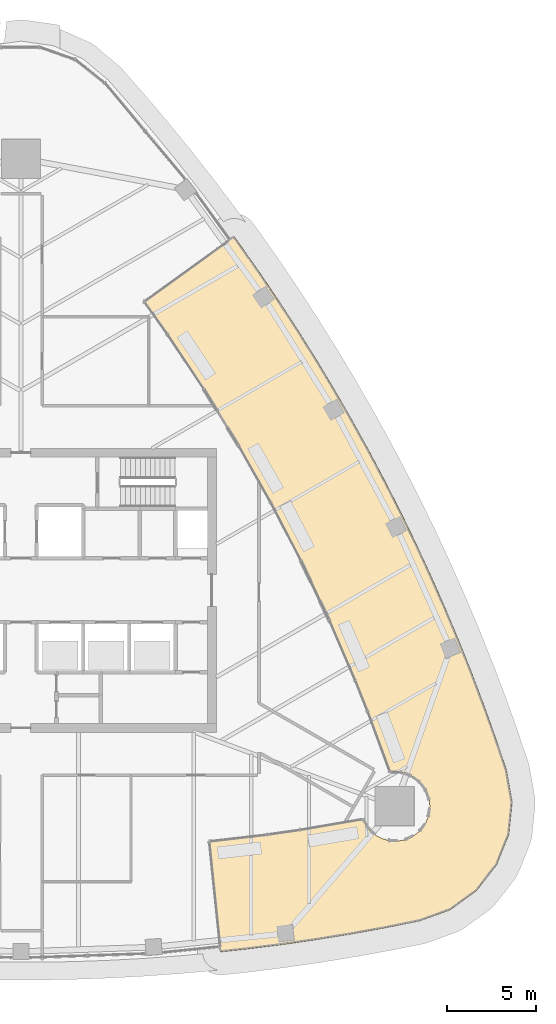
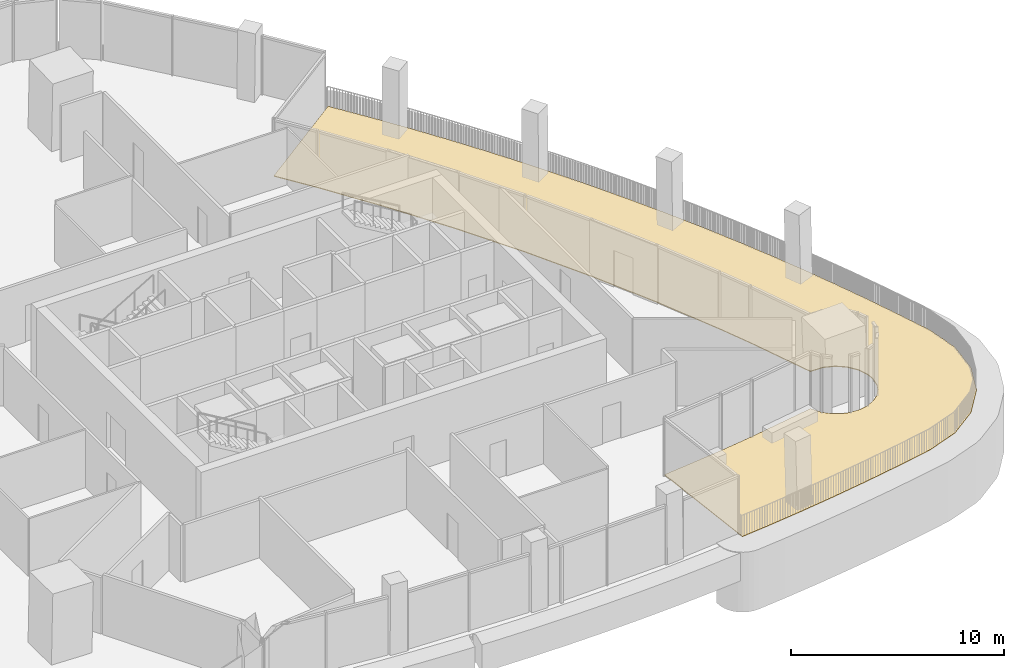
# One storey, part 17 of 20: 1 covering.
"""IFC4 building model written with IfcOpenShell, lengths in metres."""

from ifc_helpers import new_model, si_unit, direction, frame, origin, place, context, subcontext, project, spatial, polyline, outline, extrude, material, layer, layer_set, type_object, element, save


model = new_model("IFC4")

# Units and contexts
model_context = context("Model", 3, precision=1e-05, world=origin(), true_north=direction((0.0, 1.0)))
body_context = subcontext(model_context, "Body", "Model", "MODEL_VIEW")
ifc_project = project(units=[si_unit("LENGTHUNIT", "METRE"), si_unit("AREAUNIT", "SQUARE_METRE"), si_unit("VOLUMEUNIT", "CUBIC_METRE"), si_unit("PLANEANGLEUNIT", "RADIAN"), si_unit("MASSUNIT", "GRAM", prefix="KILO")], contexts=[model_context])

# Site, building, storey
site_placement = place(None, origin())
site = spatial("IfcSite", under=ifc_project, at=site_placement, CompositionType="ELEMENT")
building_placement = place(site_placement, origin())
building = spatial("IfcBuilding", under=site, at=building_placement, Name="Sierra Prisma Convention Tower", CompositionType="ELEMENT")
storey_placement = place(building_placement, frame((0.0, 0.0, 275.0)))
storey = spatial("IfcBuildingStorey", under=building, at=storey_placement, Name="L62", CompositionType="ELEMENT", Elevation=275.0)

# Covering
ifc_material = material(Name="Porcelain stoneware paving", Category="masonry")
ifc_layer = layer(ifc_material, 0.0400390625)
ifc_layer_set = layer_set([ifc_layer], Name="Terrace paving")
covering_type = type_object("IfcCoveringType", Name="Terrace paving", PredefinedType="FLOORING", material=ifc_layer_set)
covering_placement = place(storey_placement, origin())
element("IfcCovering", 1, at=covering_placement, inside=storey, type_object=covering_type, Name="Terrace paving L62", PredefinedType="FLOORING", context=body_context, shape_type="SweptSolid", body=[
    extrude(outline(polyline([(11.2470703125, -20.358154296875), (12.7314453125, -20.197998046875), (14.678955078125, -19.95263671875), (16.6220703125, -19.67236328125), (18.5595703125, -19.357177734375), (20.4912109375, -19.007568359375), (22.41650390625, -18.623291015625), (24.151611328125, -17.99755859375), (25.64599609375, -16.915771484375), (26.782470703125, -15.462890625), (27.472412109375, -13.752197265625), (27.662109375, -11.917236328125), (27.33642578125, -10.1015625), (26.706787109375, -8.2421875), (26.043701171875, -6.39453125), (25.34765625, -4.558837890625), (24.619140625, -2.736083984375), (23.857666015625, -0.926513671875), (23.064208984375, 0.868896484375), (22.23876953125, 2.64990234375), (21.38134765625, 4.416015625), (20.492431640625, 6.166259765625), (19.572509765625, 7.900390625), (18.62158203125, 9.61767578125), (17.639892578125, 11.31787109375), (16.628173828125, 13.0), (15.58642578125, 14.663818359375), (14.514892578125, 16.308837890625), (13.414306640625, 17.934326171875), (12.28466796875, 19.539794921875), (12.006591796875, 19.920166015625), (6.94140625, 16.251708984375), (8.2705078125, 14.383544921875), (10.31884765625, 11.299560546875), (12.25537109375, 8.144287109375), (14.07763671875, 4.921875), (15.783203125, 1.635986328125), (17.370361328125, -1.708740234375), (18.83642578125, -5.108154296875), (19.523681640625, -6.8271484375), (20.780029296875, -10.230712890625), (21.4482421875, -10.244873046875), (21.988525390625, -10.438232421875), (22.449462890625, -10.780029296875), (22.791259765625, -11.240966796875), (22.984619140625, -11.78125), (23.022216796875, -12.162841796875), (22.93798828125, -12.73046875), (22.791259765625, -13.084716796875), (22.449462890625, -13.545654296875), (22.153076171875, -13.788818359375), (21.63427734375, -14.0341796875), (21.25830078125, -14.109130859375), (20.68505859375, -14.080810546875), (20.318359375, -13.9697265625), (19.980224609375, -13.788818359375), (19.554931640625, -13.403564453125), (19.2490234375, -12.880859375), (15.674072265625, -13.494384765625), (13.842041015625, -13.7587890625), (10.602783203125, -14.137451171875), (11.2470703125, -20.358154296875)])), origin(), (0.0, 0.0, 1.0), 0.0400390625),
])

save(model, "model.ifc")
